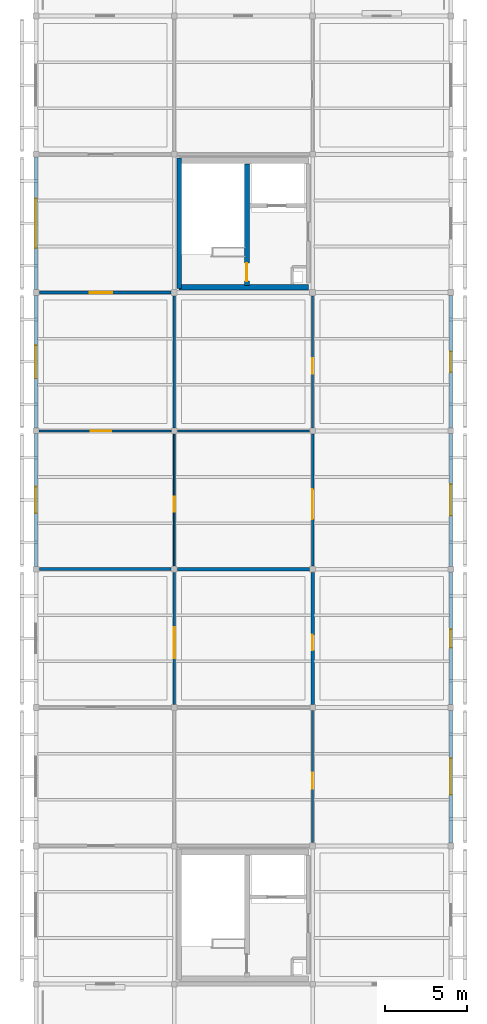
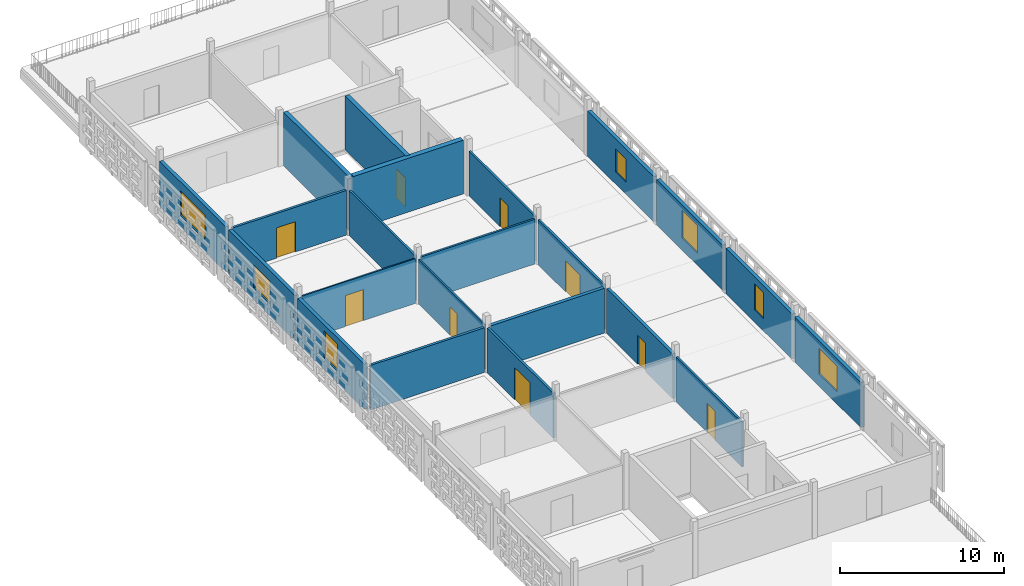
# One storey, part 3 of 13: 22 walls, 9 doors, 7 windows, 16 openings.
"""IFC4 building model written with IfcOpenShell, lengths in metres."""

from ifc_helpers import new_model, si_unit, direction, frame, frame_2d, origin, place, context, subcontext, project, spatial, rectangle, extrude, material, layer, layer_set, type_object, element, fill, save


model = new_model("IFC4")

# Units and contexts
model_context = context("Model", 3, precision=1e-05, world=origin(), true_north=direction((0.0, 1.0)))
body_context = subcontext(model_context, "Body", "Model", "MODEL_VIEW")
ifc_project = project(units=[si_unit("LENGTHUNIT", "METRE"), si_unit("AREAUNIT", "SQUARE_METRE"), si_unit("VOLUMEUNIT", "CUBIC_METRE"), si_unit("PLANEANGLEUNIT", "RADIAN"), si_unit("MASSUNIT", "GRAM", prefix="KILO")], contexts=[model_context])

# Site, building, storey
site_placement = place(None, origin())
site = spatial("IfcSite", under=ifc_project, at=site_placement, CompositionType="ELEMENT")
building_placement = place(site_placement, origin())
building = spatial("IfcBuilding", under=site, at=building_placement, Name="Varnapada Polytechnic", CompositionType="ELEMENT")
storey_placement = place(building_placement, frame((0.0, 0.0, 26.39990234375)))
storey = spatial("IfcBuildingStorey", under=building, at=storey_placement, Name="L06", CompositionType="ELEMENT", Elevation=26.39990234375)

# Wall, opening, door
ifc_material_1 = material(Name="Autoclaved Aerated Concrete Block AAC-600", Category="concrete")
ifc_layer_1 = layer(ifc_material_1, 0.14990234375)
ifc_layer_set_1 = layer_set([ifc_layer_1], Name="Autoclaved Aerated Concrete Block AAC-600")
wall_type_1 = type_object("IfcWallType", Name="Interior Wall IW-02", PredefinedType="PARTITIONING", material=ifc_layer_set_1)
wall_1_placement = place(storey_placement, frame((16.800048828125, 84.199951171875, 0.0), z_axis=(0.0, 0.0, 1.0), x_axis=(0.0, 1.0, 0.0)))
wall_1 = element("IfcWall", 1, at=wall_1_placement, inside=storey, type_object=wall_type_1, Name="L06 interior partition IW-L06-01-10-V", PredefinedType="PARTITIONING", context=body_context, shape_type="SweptSolid", body=[
    extrude(rectangle(XDim=8.010009765625, YDim=0.14990234375, at=frame_2d((4.0048828125, 0.0))), origin(), (0.0, 0.0, 1.0), 3.320068359375),
])
opening_1_placement = place(wall_1_placement, frame((2.85009765625, 0.0, 0.0)))
opening_1 = element("IfcOpeningElement", 2, at=opening_1_placement, cuts=wall_1, Name="Opening D-1345", PredefinedType="OPENING", context=body_context, shape_type="SweptSolid", body=[
    extrude(rectangle(XDim=1.800048828125, YDim=2.300048828125, at=frame_2d((0.89990234375, 1.14990234375))), frame((0.0, 0.0849609375, 0.0), z_axis=(0.0, -1.0, 0.0), x_axis=(1.0, 0.0, 0.0)), (0.0, 0.0, 1.0), 0.169921875),
])
ifc_material_2 = material(Name="Acoustic Double Timber Leaf", Category="wood")
door_type_1 = type_object("IfcDoorType", Name="Interior Door ID-04", OperationType="NOTDEFINED", PredefinedType="DOOR", material=ifc_material_2)
door_1_placement = place(opening_1_placement, origin())
door_1 = element("IfcDoor", 3, at=door_1_placement, inside=storey, type_object=door_type_1, Name="L06 interior room door D-1345", OperationType="SINGLE_SWING_RIGHT", OverallHeight=2.300048828125, OverallWidth=1.800048828125, PredefinedType="DOOR", context=body_context, shape_type="SweptSolid", body=[
    extrude(rectangle(XDim=1.800048828125, YDim=2.300048828125, at=frame_2d((0.89990234375, 1.14990234375))), frame((0.0, 0.02490234375, 0.0), z_axis=(0.0, -1.0, 0.0), x_axis=(1.0, 0.0, 0.0)), (0.0, 0.0, 1.0), 0.050048828125),
])
fill(opening_1, door_1)

# Wall
ifc_material_3 = material(Name="Moisture-Resistant Cement Board Partition")
ifc_layer_2 = layer(ifc_material_3, 0.139892578125)
ifc_layer_set_2 = layer_set([ifc_layer_2], Name="Moisture-Resistant Cement Board Partition")
wall_type_2 = type_object("IfcWallType", Name="Interior Wall IW-04", PredefinedType="PARTITIONING", material=ifc_layer_set_2)
wall_2_placement = place(storey_placement, frame((8.39990234375, 92.590087890625, 0.0), z_axis=(0.0, 0.0, 1.0), x_axis=(0.0, 1.0, 0.0)))
element("IfcWall", 4, at=wall_2_placement, inside=storey, type_object=wall_type_2, Name="L06 interior partition IW-L06-00-11-V", PredefinedType="PARTITIONING", context=body_context, shape_type="SweptSolid", body=[
    extrude(rectangle(XDim=8.010009765625, YDim=0.139892578125, at=frame_2d((4.0048828125, 0.0))), origin(), (0.0, 0.0, 1.0), 3.320068359375),
])

# Wall, opening, door
wall_3_placement = place(storey_placement, frame((16.800048828125, 67.39990234375, 0.0), z_axis=(0.0, 0.0, 1.0), x_axis=(0.0, 1.0, 0.0)))
wall_3 = element("IfcWall", 5, at=wall_3_placement, inside=storey, type_object=wall_type_2, Name="L06 interior partition IW-L06-01-08-V", PredefinedType="PARTITIONING", context=body_context, shape_type="SweptSolid", body=[
    extrude(rectangle(XDim=8.010009765625, YDim=0.139892578125, at=frame_2d((4.0048828125, 0.0))), origin(), (0.0, 0.0, 1.0), 3.320068359375),
])
opening_2_placement = place(wall_3_placement, frame((3.27490234375, 0.0, 0.0)))
opening_2 = element("IfcOpeningElement", 6, at=opening_2_placement, cuts=wall_3, Name="Opening D-1343", PredefinedType="OPENING", context=body_context, shape_type="SweptSolid", body=[
    extrude(rectangle(XDim=0.949951171875, YDim=2.14990234375, at=frame_2d((0.47509765625, 1.074951171875))), frame((0.0, 0.079833984375, 0.0), z_axis=(0.0, -1.0, 0.0), x_axis=(1.0, 0.0, 0.0)), (0.0, 0.0, 1.0), 0.159912109375),
])
ifc_material_4 = material(Name="Moisture-Resistant HPL Timber", Category="wood")
door_type_2 = type_object("IfcDoorType", Name="Interior Door ID-03", OperationType="NOTDEFINED", PredefinedType="DOOR", material=ifc_material_4)
door_2_placement = place(opening_2_placement, frame((0.949951171875, 0.0, 0.0), z_axis=(0.0, 0.0, 1.0), x_axis=(-1.0, 0.0, 0.0)))
door_2 = element("IfcDoor", 7, at=door_2_placement, inside=storey, type_object=door_type_2, Name="L06 interior room door D-1343", OperationType="SINGLE_SWING_RIGHT", OverallHeight=2.14990234375, OverallWidth=0.949951171875, PredefinedType="DOOR", context=body_context, shape_type="SweptSolid", body=[
    extrude(rectangle(XDim=0.949951171875, YDim=2.14990234375, at=frame_2d((0.47509765625, 1.074951171875))), frame((0.0, 0.02490234375, 0.0), z_axis=(0.0, -1.0, 0.0), x_axis=(1.0, 0.0, 0.0)), (0.0, 0.0, 1.0), 0.050048828125),
])
fill(opening_2, door_2)

# Wall
wall_4_placement = place(storey_placement, frame((8.590087890625, 92.39990234375, 0.0), z_axis=(0.0, 0.0, 1.0), x_axis=(1.0, 0.0, 0.0)))
element("IfcWall", 8, at=wall_4_placement, inside=storey, type_object=wall_type_2, Name="L06 interior partition IW-L06-01-10-H", PredefinedType="PARTITIONING", context=body_context, shape_type="SweptSolid", body=[
    extrude(rectangle(XDim=8.02001953125, YDim=0.139892578125, at=frame_2d((4.010009765625, 0.0))), origin(), (0.0, 0.0, 1.0), 3.320068359375),
])

# Wall, opening, door
wall_5_placement = place(storey_placement, frame((16.800048828125, 92.590087890625, 0.0), z_axis=(0.0, 0.0, 1.0), x_axis=(0.0, 1.0, 0.0)))
wall_5 = element("IfcWall", 9, at=wall_5_placement, inside=storey, type_object=wall_type_2, Name="L06 interior partition IW-L06-01-11-V", PredefinedType="PARTITIONING", context=body_context, shape_type="SweptSolid", body=[
    extrude(rectangle(XDim=8.010009765625, YDim=0.139892578125, at=frame_2d((4.0048828125, 0.0))), origin(), (0.0, 0.0, 1.0), 3.320068359375),
])
opening_3_placement = place(wall_5_placement, frame((3.27490234375, 0.0, 0.0)))
opening_3 = element("IfcOpeningElement", 10, at=opening_3_placement, cuts=wall_5, Name="Opening D-1346", PredefinedType="OPENING", context=body_context, shape_type="SweptSolid", body=[
    extrude(rectangle(XDim=0.949951171875, YDim=2.14990234375, at=frame_2d((0.47509765625, 1.074951171875))), frame((0.0, 0.079833984375, 0.0), z_axis=(0.0, -1.0, 0.0), x_axis=(1.0, 0.0, 0.0)), (0.0, 0.0, 1.0), 0.159912109375),
])
door_3_placement = place(opening_3_placement, frame((0.949951171875, 0.0, 0.0), z_axis=(0.0, 0.0, 1.0), x_axis=(-1.0, 0.0, 0.0)))
door_3 = element("IfcDoor", 11, at=door_3_placement, inside=storey, type_object=door_type_2, Name="L06 interior room door D-1346", OperationType="SINGLE_SWING_LEFT", OverallHeight=2.14990234375, OverallWidth=0.949951171875, PredefinedType="DOOR", context=body_context, shape_type="SweptSolid", body=[
    extrude(rectangle(XDim=0.949951171875, YDim=2.14990234375, at=frame_2d((0.47509765625, 1.074951171875))), frame((0.0, 0.02490234375, 0.0), z_axis=(0.0, -1.0, 0.0), x_axis=(1.0, 0.0, 0.0)), (0.0, 0.0, 1.0), 0.050048828125),
])
fill(opening_3, door_3)

ifc_material_5 = material(Name="Cross-laminated timber CLT C24", Category="wood")
ifc_layer_3 = layer(ifc_material_5, 0.159912109375)
ifc_layer_set_3 = layer_set([ifc_layer_3], Name="Cross-laminated timber CLT C24")
wall_type_3 = type_object("IfcWallType", Name="Interior Wall IW-05", PredefinedType="PARTITIONING", material=ifc_layer_set_3)
wall_6_placement = place(storey_placement, frame((8.39990234375, 75.7900390625, 0.0), z_axis=(0.0, 0.0, 1.0), x_axis=(0.0, 1.0, 0.0)))
wall_6 = element("IfcWall", 12, at=wall_6_placement, inside=storey, type_object=wall_type_3, Name="L06 interior partition IW-L06-00-09-V", PredefinedType="PARTITIONING", context=body_context, shape_type="SweptSolid", body=[
    extrude(rectangle(XDim=8.010009765625, YDim=0.159912109375, at=frame_2d((4.0048828125, 0.0))), origin(), (0.0, 0.0, 1.0), 3.320068359375),
])
opening_4_placement = place(wall_6_placement, frame((2.800048828125, 0.0, 0.0)))
opening_4 = element("IfcOpeningElement", 13, at=opening_4_placement, cuts=wall_6, Name="Opening D-1338", PredefinedType="OPENING", context=body_context, shape_type="SweptSolid", body=[
    extrude(rectangle(XDim=1.89990234375, YDim=2.39990234375, at=frame_2d((0.949951171875, 1.199951171875))), frame((0.0, 0.08984375, 0.0), z_axis=(0.0, -1.0, 0.0), x_axis=(1.0, 0.0, 0.0)), (0.0, 0.0, 1.0), 0.179931640625),
])
ifc_material_6 = material(Name="Heavy Workshop Double Steel Door", Category="steel")
door_type_3 = type_object("IfcDoorType", Name="Interior Door ID-14", OperationType="NOTDEFINED", PredefinedType="DOOR", material=ifc_material_6)
door_4_placement = place(opening_4_placement, origin())
door_4 = element("IfcDoor", 14, at=door_4_placement, inside=storey, type_object=door_type_3, Name="L06 interior room door D-1338", OperationType="SINGLE_SWING_LEFT", OverallHeight=2.39990234375, OverallWidth=1.89990234375, PredefinedType="DOOR", context=body_context, shape_type="SweptSolid", body=[
    extrude(rectangle(XDim=1.89990234375, YDim=2.39990234375, at=frame_2d((0.949951171875, 1.199951171875))), frame((0.0, 0.02490234375, 0.0), z_axis=(0.0, -1.0, 0.0), x_axis=(1.0, 0.0, 0.0)), (0.0, 0.0, 1.0), 0.050048828125),
])
fill(opening_4, door_4)

# Wall
ifc_material_7 = material(Name="Acoustic Double-Stud Studio Partition")
ifc_layer_4 = layer(ifc_material_7, 0.179931640625)
ifc_layer_set_4 = layer_set([ifc_layer_4], Name="Acoustic Double-Stud Studio Partition")
wall_type_4 = type_object("IfcWallType", Name="Interior Wall IW-06", PredefinedType="PARTITIONING", material=ifc_layer_set_4)
wall_7_placement = place(storey_placement, frame((0.199951171875, 84.0, 0.0), z_axis=(0.0, 0.0, 1.0), x_axis=(1.0, 0.0, 0.0)))
element("IfcWall", 15, at=wall_7_placement, inside=storey, type_object=wall_type_4, Name="L06 interior partition IW-L06-00-09-H", PredefinedType="PARTITIONING", context=body_context, shape_type="SweptSolid", body=[
    extrude(rectangle(XDim=8.0, YDim=0.179931640625, at=frame_2d((4.0, 0.0))), origin(), (0.0, 0.0, 1.0), 3.320068359375),
])

# Wall, opening, door
ifc_material_8 = material(Name="Glazed Timber-Framed Studio Screen", Category="wood")
ifc_layer_5 = layer(ifc_material_8, 0.110107421875)
ifc_layer_set_5 = layer_set([ifc_layer_5], Name="Glazed Timber-Framed Studio Screen")
wall_type_5 = type_object("IfcWallType", Name="Interior Wall IW-07", PredefinedType="PARTITIONING", material=ifc_layer_set_5)
wall_8_placement = place(storey_placement, frame((8.39990234375, 84.199951171875, 0.0), z_axis=(0.0, 0.0, 1.0), x_axis=(0.0, 1.0, 0.0)))
wall_8 = element("IfcWall", 16, at=wall_8_placement, inside=storey, type_object=wall_type_5, Name="L06 interior partition IW-L06-00-10-V", PredefinedType="PARTITIONING", context=body_context, shape_type="SweptSolid", body=[
    extrude(rectangle(XDim=8.010009765625, YDim=0.110107421875, at=frame_2d((4.0048828125, 0.0))), origin(), (0.0, 0.0, 1.0), 3.320068359375),
])
opening_5_placement = place(wall_8_placement, frame((3.300048828125, 0.0, 0.0)))
opening_5 = element("IfcOpeningElement", 17, at=opening_5_placement, cuts=wall_8, Name="Opening D-1339", PredefinedType="OPENING", context=body_context, shape_type="SweptSolid", body=[
    extrude(rectangle(XDim=0.89990234375, YDim=2.10009765625, at=frame_2d((0.449951171875, 1.050048828125))), frame((0.0, 0.06494140625, 0.0), z_axis=(0.0, -1.0, 0.0), x_axis=(1.0, 0.0, 0.0)), (0.0, 0.0, 1.0), 0.130126953125),
])
door_type_4 = type_object("IfcDoorType", Name="Interior Door ID-15", OperationType="NOTDEFINED", PredefinedType="DOOR", material=ifc_material_4)
door_5_placement = place(opening_5_placement, origin())
door_5 = element("IfcDoor", 18, at=door_5_placement, inside=storey, type_object=door_type_4, Name="L06 interior room door D-1339", OperationType="SINGLE_SWING_RIGHT", OverallHeight=2.10009765625, OverallWidth=0.89990234375, PredefinedType="DOOR", context=body_context, shape_type="SweptSolid", body=[
    extrude(rectangle(XDim=0.89990234375, YDim=2.10009765625, at=frame_2d((0.449951171875, 1.050048828125))), frame((0.0, 0.02490234375, 0.0), z_axis=(0.0, -1.0, 0.0), x_axis=(1.0, 0.0, 0.0)), (0.0, 0.0, 1.0), 0.050048828125),
])
fill(opening_5, door_5)

ifc_material_9 = material(Name="Operable Acoustic Seminar Partition")
ifc_layer_6 = layer(ifc_material_9, 0.10009765625)
ifc_layer_set_6 = layer_set([ifc_layer_6], Name="Operable Acoustic Seminar Partition")
wall_type_6 = type_object("IfcWallType", Name="Interior Wall IW-08", PredefinedType="MOVABLE", material=ifc_layer_set_6)
wall_9_placement = place(storey_placement, frame((0.18994140625, 92.39990234375, 0.0), z_axis=(0.0, 0.0, 1.0), x_axis=(1.0, 0.0, 0.0)))
wall_9 = element("IfcWall", 19, at=wall_9_placement, inside=storey, type_object=wall_type_6, Name="L06 interior partition IW-L06-00-10-H", PredefinedType="MOVABLE", context=body_context, shape_type="SweptSolid", body=[
    extrude(rectangle(XDim=8.02001953125, YDim=0.10009765625, at=frame_2d((4.010009765625, 0.0))), origin(), (0.0, 0.0, 1.0), 3.320068359375),
])
opening_6_placement = place(wall_9_placement, frame((3.125, 0.0, 0.0)))
opening_6 = element("IfcOpeningElement", 20, at=opening_6_placement, cuts=wall_9, Name="Opening D-1340", PredefinedType="OPENING", context=body_context, shape_type="SweptSolid", body=[
    extrude(rectangle(XDim=1.25, YDim=2.300048828125, at=frame_2d((0.625, 1.14990234375))), frame((0.0, 0.06005859375, 0.0), z_axis=(0.0, -1.0, 0.0), x_axis=(1.0, 0.0, 0.0)), (0.0, 0.0, 1.0), 0.1201171875),
])
ifc_material_10 = material(Name="Solid Teak Hardwood Timber", Category="wood")
door_type_5 = type_object("IfcDoorType", Name="Interior Door ID-16", OperationType="NOTDEFINED", PredefinedType="DOOR", material=ifc_material_10)
door_6_placement = place(opening_6_placement, frame((1.25, 0.0, 0.0), z_axis=(0.0, 0.0, 1.0), x_axis=(-1.0, 0.0, 0.0)))
door_6 = element("IfcDoor", 21, at=door_6_placement, inside=storey, type_object=door_type_5, Name="L06 interior room door D-1340", OperationType="SINGLE_SWING_LEFT", OverallHeight=2.300048828125, OverallWidth=1.25, PredefinedType="DOOR", context=body_context, shape_type="SweptSolid", body=[
    extrude(rectangle(XDim=1.25, YDim=2.300048828125, at=frame_2d((0.625, 1.14990234375))), frame((0.0, 0.02490234375, 0.0), z_axis=(0.0, -1.0, 0.0), x_axis=(1.0, 0.0, 0.0)), (0.0, 0.0, 1.0), 0.050048828125),
])
fill(opening_6, door_6)

ifc_material_11 = material(Name="Double-Layer Fireboard Workshop Wall")
ifc_layer_7 = layer(ifc_material_11, 0.169921875)
ifc_layer_set_7 = layer_set([ifc_layer_7], Name="Double-Layer Fireboard Workshop Wall")
wall_type_7 = type_object("IfcWallType", Name="Interior Wall IW-10", PredefinedType="PARTITIONING", material=ifc_layer_set_7)
wall_10_placement = place(storey_placement, frame((0.199951171875, 100.800048828125, 0.0), z_axis=(0.0, 0.0, 1.0), x_axis=(1.0, 0.0, 0.0)))
wall_10 = element("IfcWall", 22, at=wall_10_placement, inside=storey, type_object=wall_type_7, Name="L06 interior partition IW-L06-00-11-H", PredefinedType="PARTITIONING", context=body_context, shape_type="SweptSolid", body=[
    extrude(rectangle(XDim=8.0, YDim=0.169921875, at=frame_2d((4.0, 0.0))), origin(), (0.0, 0.0, 1.0), 3.320068359375),
])
opening_7_placement = place(wall_10_placement, frame((3.074951171875, 0.0, 0.0)))
opening_7 = element("IfcOpeningElement", 23, at=opening_7_placement, cuts=wall_10, Name="Opening D-1341", PredefinedType="OPENING", context=body_context, shape_type="SweptSolid", body=[
    extrude(rectangle(XDim=1.35009765625, YDim=2.25, at=frame_2d((0.675048828125, 1.125))), frame((0.0, 0.094970703125, 0.0), z_axis=(0.0, -1.0, 0.0), x_axis=(1.0, 0.0, 0.0)), (0.0, 0.0, 1.0), 0.18994140625),
])
ifc_material_12 = material(Name="Powder-Coated Aluminium 6063-T6", Category="aluminium")
door_type_6 = type_object("IfcDoorType", Name="Interior Door ID-17", OperationType="NOTDEFINED", PredefinedType="DOOR", material=ifc_material_12)
door_7_placement = place(opening_7_placement, origin())
door_7 = element("IfcDoor", 24, at=door_7_placement, inside=storey, type_object=door_type_6, Name="L06 interior room door D-1341", OperationType="SINGLE_SWING_RIGHT", OverallHeight=2.25, OverallWidth=1.35009765625, PredefinedType="DOOR", context=body_context, shape_type="SweptSolid", body=[
    extrude(rectangle(XDim=1.35009765625, YDim=2.25, at=frame_2d((0.675048828125, 1.125))), frame((0.0, 0.02490234375, 0.0), z_axis=(0.0, -1.0, 0.0), x_axis=(1.0, 0.0, 0.0)), (0.0, 0.0, 1.0), 0.050048828125),
])
fill(opening_7, door_7)

ifc_material_13 = material(Name="Heavy Masonry Workshop Partition", Category="masonry")
ifc_layer_8 = layer(ifc_material_13, 0.2099609375)
ifc_layer_set_8 = layer_set([ifc_layer_8], Name="Heavy Masonry Workshop Partition")
wall_type_8 = type_object("IfcWallType", Name="Interior Wall IW-16", PredefinedType="PARTITIONING", material=ifc_layer_set_8)
wall_11_placement = place(storey_placement, frame((16.800048828125, 75.7900390625, 0.0), z_axis=(0.0, 0.0, 1.0), x_axis=(0.0, 1.0, 0.0)))
wall_11 = element("IfcWall", 25, at=wall_11_placement, inside=storey, type_object=wall_type_8, Name="L06 interior partition IW-L06-01-09-V", PredefinedType="PARTITIONING", context=body_context, shape_type="SweptSolid", body=[
    extrude(rectangle(XDim=8.010009765625, YDim=0.2099609375, at=frame_2d((4.0048828125, 0.0))), origin(), (0.0, 0.0, 1.0), 3.320068359375),
])
opening_8_placement = place(wall_11_placement, frame((3.27490234375, 0.0, 0.0)))
opening_8 = element("IfcOpeningElement", 26, at=opening_8_placement, cuts=wall_11, Name="Opening D-1344", PredefinedType="OPENING", context=body_context, shape_type="SweptSolid", body=[
    extrude(rectangle(XDim=0.949951171875, YDim=2.14990234375, at=frame_2d((0.47509765625, 1.074951171875))), frame((0.0, 0.114990234375, 0.0), z_axis=(0.0, -1.0, 0.0), x_axis=(1.0, 0.0, 0.0)), (0.0, 0.0, 1.0), 0.22998046875),
])
door_8_placement = place(opening_8_placement, origin())
door_8 = element("IfcDoor", 27, at=door_8_placement, inside=storey, type_object=door_type_2, Name="L06 interior room door D-1344", OperationType="SINGLE_SWING_LEFT", OverallHeight=2.14990234375, OverallWidth=0.949951171875, PredefinedType="DOOR", context=body_context, shape_type="SweptSolid", body=[
    extrude(rectangle(XDim=0.949951171875, YDim=2.14990234375, at=frame_2d((0.47509765625, 1.074951171875))), frame((0.0, 0.02490234375, 0.0), z_axis=(0.0, -1.0, 0.0), x_axis=(1.0, 0.0, 0.0)), (0.0, 0.0, 1.0), 0.050048828125),
])
fill(opening_8, door_8)

# Walls
ifc_material_14 = material(Name="Double-Leaf Acoustic Lecture Wall")
ifc_layer_9 = layer(ifc_material_14, 0.235107421875)
ifc_layer_set_9 = layer_set([ifc_layer_9], Name="Double-Leaf Acoustic Lecture Wall")
wall_type_9 = type_object("IfcWallType", Name="Interior Wall IW-17", PredefinedType="PARTITIONING", material=ifc_layer_set_9)
wall_12_placement = place(storey_placement, frame((8.60009765625, 84.0, 0.0), z_axis=(0.0, 0.0, 1.0), x_axis=(1.0, 0.0, 0.0)))
element("IfcWall", 28, at=wall_12_placement, inside=storey, type_object=wall_type_9, Name="L06 interior partition IW-L06-01-09-H", PredefinedType="PARTITIONING", context=body_context, shape_type="SweptSolid", body=[
    extrude(rectangle(XDim=8.0, YDim=0.235107421875, at=frame_2d((4.0, 0.0))), origin(), (0.0, 0.0, 1.0), 3.320068359375),
])
ifc_material_15 = material(Name="Concrete C40/50", Category="concrete")
ifc_layer_10 = layer(ifc_material_15, 0.35009765625)
ifc_layer_set_10 = layer_set([ifc_layer_10], Name="Concrete C40/50")
wall_type_10 = type_object("IfcWallType", Name="Interior Wall SW-01", PredefinedType="SHEAR", material=ifc_layer_set_10)
wall_13_placement = place(storey_placement, frame((16.5400390625, 101.1201171875, 0.0), z_axis=(0.0, 0.0, 1.0), x_axis=(-1.0, 0.0, 0.0)))
element("IfcWall", 29, at=wall_13_placement, inside=storey, type_object=wall_type_10, Name="L06 C1 core south shear wall", PredefinedType="SHEAR", context=body_context, shape_type="SweptSolid", body=[
    extrude(rectangle(XDim=7.840087890625, YDim=0.35009765625, at=frame_2d((3.919921875, 0.0))), origin(), (0.0, 0.0, 1.0), 3.989990234375),
])

# Wall, opening, door
ifc_layer_11 = layer(ifc_material_15, 0.300048828125)
ifc_layer_set_11 = layer_set([ifc_layer_11], Name="Concrete C40/50")
wall_type_11 = type_object("IfcWallType", Name="Interior Wall SW-02", PredefinedType="SHEAR", material=ifc_layer_set_11)
wall_14_placement = place(storey_placement, frame((12.81005859375, 101.219970703125, 0.0), z_axis=(0.0, 0.0, 1.0), x_axis=(0.0, 1.0, 0.0)))
wall_14 = element("IfcWall", 30, at=wall_14_placement, inside=storey, type_object=wall_type_11, Name="L06 C1 stair-lobby dividing shear wall", PredefinedType="SHEAR", context=body_context, shape_type="SweptSolid", body=[
    extrude(rectangle(XDim=7.380126953125, YDim=0.300048828125, at=frame_2d((3.68994140625, 0.0))), origin(), (0.0, 0.0, 1.0), 3.989990234375),
])
opening_9_placement = place(wall_14_placement, frame((0.280029296875, 0.0, 0.0)))
opening_9 = element("IfcOpeningElement", 31, at=opening_9_placement, cuts=wall_14, Name="Opening D-1335", PredefinedType="OPENING", context=body_context, shape_type="SweptSolid", body=[
    extrude(rectangle(XDim=1.10009765625, YDim=2.14990234375, at=frame_2d((0.550048828125, 1.074951171875))), frame((0.0, 0.159912109375, 0.0), z_axis=(0.0, -1.0, 0.0), x_axis=(1.0, 0.0, 0.0)), (0.0, 0.0, 1.0), 0.320068359375),
])
ifc_material_16 = material(Name="Galvanized Steel Z275", Category="steel")
door_type_7 = type_object("IfcDoorType", Name="Interior Door ID-01", OperationType="NOTDEFINED", PredefinedType="DOOR", material=ifc_material_16)
door_9_placement = place(opening_9_placement, origin())
door_9 = element("IfcDoor", 32, at=door_9_placement, inside=storey, type_object=door_type_7, Name="L06 C1 exit stair door D-1335", OperationType="SINGLE_SWING_RIGHT", OverallHeight=2.14990234375, OverallWidth=1.10009765625, PredefinedType="DOOR", context=body_context, shape_type="SweptSolid", body=[
    extrude(rectangle(XDim=1.10009765625, YDim=2.14990234375, at=frame_2d((0.550048828125, 1.074951171875))), frame((0.0, 0.02490234375, 0.0), z_axis=(0.0, -1.0, 0.0), x_axis=(1.0, 0.0, 0.0)), (0.0, 0.0, 1.0), 0.050048828125),
])
fill(opening_9, door_9)

# Wall
ifc_layer_12 = layer(ifc_material_15, 0.280029296875)
ifc_layer_set_12 = layer_set([ifc_layer_12], Name="Concrete C40/50")
wall_type_12 = type_object("IfcWallType", Name="Interior Wall SW-04", PredefinedType="SHEAR", material=ifc_layer_set_12)
wall_15_placement = place(storey_placement, frame((8.699951171875, 101.050048828125, 0.0), z_axis=(0.0, 0.0, 1.0), x_axis=(0.0, 1.0, 0.0)))
element("IfcWall", 33, at=wall_15_placement, inside=storey, type_object=wall_type_12, Name="L06 C1 stair west shear wall", PredefinedType="SHEAR", context=body_context, shape_type="SweptSolid", body=[
    extrude(rectangle(XDim=7.93994140625, YDim=0.280029296875, at=frame_2d((3.969970703125, 0.0))), origin(), (0.0, 0.0, 1.0), 3.989990234375),
])

# Wall, opening, window
ifc_material_17 = material(Name="Precast concrete C40/50", Category="concrete")
ifc_layer_13 = layer(ifc_material_17, 0.239990234375)
ifc_layer_set_13 = layer_set([ifc_layer_13], Name="Precast concrete C40/50")
wall_type_13 = type_object("IfcWallType", Name="Wall EW-06", PredefinedType="SOLIDWALL", material=ifc_layer_set_13)
wall_16_placement = place(storey_placement, frame((0.0, 84.179931640625, 0.0), z_axis=(0.0, 0.0, 1.0), x_axis=(0.0, 1.0, 0.0)))
wall_16 = element("IfcWall", 34, at=wall_16_placement, inside=storey, type_object=wall_type_13, Name="L06 exterior wall EW-06 (5)", PredefinedType="SOLIDWALL", context=body_context, shape_type="SweptSolid", body=[
    extrude(rectangle(XDim=8.050048828125, YDim=0.239990234375, at=frame_2d((4.02490234375, 0.0))), origin(), (0.0, 0.0, 1.0), 3.360107421875),
])
opening_10_placement = place(wall_16_placement, frame((3.22509765625, 0.0, 0.89990234375)))
opening_10 = element("IfcOpeningElement", 35, at=opening_10_placement, cuts=wall_16, Name="Opening WN-08", PredefinedType="OPENING", context=body_context, shape_type="SweptSolid", body=[
    extrude(rectangle(XDim=1.60009765625, YDim=2.0, at=frame_2d((0.800048828125, 1.0))), frame((0.0, 0.1298828125, 0.0), z_axis=(0.0, -1.0, 0.0), x_axis=(1.0, 0.0, 0.0)), (0.0, 0.0, 1.0), 0.260009765625),
])
ifc_material_18 = material(Name="Double low-E laminated glass", Category="glass")
window_type_1 = type_object("IfcWindowType", Name="Window WN-08", PartitioningType="SINGLE_PANEL", PredefinedType="WINDOW", material=ifc_material_18)
window_1_placement = place(opening_10_placement, origin())
window_1 = element("IfcWindow", 36, at=window_1_placement, inside=storey, type_object=window_type_1, Name="L06 window WN-08 (251)", OverallHeight=2.0, OverallWidth=1.60009765625, PartitioningType="SINGLE_PANEL", PredefinedType="WINDOW", context=body_context, shape_type="SweptSolid", body=[
    extrude(rectangle(XDim=1.60009765625, YDim=2.0, at=frame_2d((0.800048828125, 1.0))), frame((0.0, 0.030029296875, 0.0), z_axis=(0.0, -1.0, 0.0), x_axis=(1.0, 0.0, 0.0)), (0.0, 0.0, 1.0), 0.06005859375),
])
fill(opening_10, window_1)

wall_17_placement = place(storey_placement, frame((0.0, 92.570068359375, 0.0), z_axis=(0.0, 0.0, 1.0), x_axis=(0.0, 1.0, 0.0)))
wall_17 = element("IfcWall", 37, at=wall_17_placement, inside=storey, type_object=wall_type_13, Name="L06 exterior wall EW-06 (6)", PredefinedType="SOLIDWALL", context=body_context, shape_type="SweptSolid", body=[
    extrude(rectangle(XDim=8.050048828125, YDim=0.239990234375, at=frame_2d((4.02490234375, 0.0))), origin(), (0.0, 0.0, 1.0), 3.360107421875),
])
opening_11_placement = place(wall_17_placement, frame((3.02490234375, 0.0, 0.89990234375)))
opening_11 = element("IfcOpeningElement", 38, at=opening_11_placement, cuts=wall_17, Name="Opening WN-11", PredefinedType="OPENING", context=body_context, shape_type="SweptSolid", body=[
    extrude(rectangle(XDim=2.0, YDim=1.699951171875, at=frame_2d((1.0, 0.85009765625))), frame((0.0, 0.1298828125, 0.0), z_axis=(0.0, -1.0, 0.0), x_axis=(1.0, 0.0, 0.0)), (0.0, 0.0, 1.0), 0.260009765625),
])
window_type_2 = type_object("IfcWindowType", Name="Window WN-11", PartitioningType="SINGLE_PANEL", PredefinedType="WINDOW", material=ifc_material_18)
window_2_placement = place(opening_11_placement, origin())
window_2 = element("IfcWindow", 39, at=window_2_placement, inside=storey, type_object=window_type_2, Name="L06 window WN-11 (252)", OverallHeight=1.699951171875, OverallWidth=2.0, PartitioningType="SINGLE_PANEL", PredefinedType="WINDOW", context=body_context, shape_type="SweptSolid", body=[
    extrude(rectangle(XDim=2.0, YDim=1.699951171875, at=frame_2d((1.0, 0.85009765625))), frame((0.0, 0.030029296875, 0.0), z_axis=(0.0, -1.0, 0.0), x_axis=(1.0, 0.0, 0.0)), (0.0, 0.0, 1.0), 0.06005859375),
])
fill(opening_11, window_2)

wall_18_placement = place(storey_placement, frame((0.0, 100.97998046875, 0.0), z_axis=(0.0, 0.0, 1.0), x_axis=(0.0, 1.0, 0.0)))
wall_18 = element("IfcWall", 40, at=wall_18_placement, inside=storey, type_object=wall_type_13, Name="L06 exterior wall EW-06 (7)", PredefinedType="SOLIDWALL", context=body_context, shape_type="SweptSolid", body=[
    extrude(rectangle(XDim=8.050048828125, YDim=0.239990234375, at=frame_2d((4.02490234375, 0.0))), origin(), (0.0, 0.0, 1.0), 3.360107421875),
])
opening_12_placement = place(wall_18_placement, frame((2.52490234375, 0.0, 0.89990234375)))
opening_12 = element("IfcOpeningElement", 41, at=opening_12_placement, cuts=wall_18, Name="Opening WN-14", PredefinedType="OPENING", context=body_context, shape_type="SweptSolid", body=[
    extrude(rectangle(XDim=3.0, YDim=1.800048828125, at=frame_2d((1.5, 0.89990234375))), frame((0.0, 0.1298828125, 0.0), z_axis=(0.0, -1.0, 0.0), x_axis=(1.0, 0.0, 0.0)), (0.0, 0.0, 1.0), 0.260009765625),
])
window_type_3 = type_object("IfcWindowType", Name="Window WN-14", PartitioningType="SINGLE_PANEL", PredefinedType="WINDOW", material=ifc_material_18)
window_3_placement = place(opening_12_placement, origin())
window_3 = element("IfcWindow", 42, at=window_3_placement, inside=storey, type_object=window_type_3, Name="L06 window WN-14 (253)", OverallHeight=1.800048828125, OverallWidth=3.0, PartitioningType="SINGLE_PANEL", PredefinedType="WINDOW", context=body_context, shape_type="SweptSolid", body=[
    extrude(rectangle(XDim=3.0, YDim=1.800048828125, at=frame_2d((1.5, 0.89990234375))), frame((0.0, 0.030029296875, 0.0), z_axis=(0.0, -1.0, 0.0), x_axis=(1.0, 0.0, 0.0)), (0.0, 0.0, 1.0), 0.06005859375),
])
fill(opening_12, window_3)

wall_19_placement = place(storey_placement, frame((25.199951171875, 75.429931640625, 0.0), z_axis=(0.0, 0.0, 1.0), x_axis=(0.0, -1.0, 0.0)))
wall_19 = element("IfcWall", 43, at=wall_19_placement, inside=storey, type_object=wall_type_13, Name="L06 exterior wall EW-06 (14)", PredefinedType="SOLIDWALL", context=body_context, shape_type="SweptSolid", body=[
    extrude(rectangle(XDim=8.050048828125, YDim=0.239990234375, at=frame_2d((4.02490234375, 0.0))), origin(), (0.0, 0.0, 1.0), 3.360107421875),
])
opening_13_placement = place(wall_19_placement, frame((2.925048828125, 0.0, 0.89990234375)))
opening_13 = element("IfcOpeningElement", 44, at=opening_13_placement, cuts=wall_19, Name="Opening WN-12", PredefinedType="OPENING", context=body_context, shape_type="SweptSolid", body=[
    extrude(rectangle(XDim=2.199951171875, YDim=1.89990234375, at=frame_2d((1.10009765625, 0.949951171875))), frame((0.0, 0.1298828125, 0.0), z_axis=(0.0, -1.0, 0.0), x_axis=(1.0, 0.0, 0.0)), (0.0, 0.0, 1.0), 0.260009765625),
])
window_type_4 = type_object("IfcWindowType", Name="Window WN-12", PartitioningType="SINGLE_PANEL", PredefinedType="WINDOW", material=ifc_material_18)
window_4_placement = place(opening_13_placement, origin())
window_4 = element("IfcWindow", 45, at=window_4_placement, inside=storey, type_object=window_type_4, Name="L06 window WN-12 (256)", OverallHeight=1.89990234375, OverallWidth=2.199951171875, PartitioningType="SINGLE_PANEL", PredefinedType="WINDOW", context=body_context, shape_type="SweptSolid", body=[
    extrude(rectangle(XDim=2.199951171875, YDim=1.89990234375, at=frame_2d((1.10009765625, 0.949951171875))), frame((0.0, 0.030029296875, 0.0), z_axis=(0.0, -1.0, 0.0), x_axis=(1.0, 0.0, 0.0)), (0.0, 0.0, 1.0), 0.06005859375),
])
fill(opening_13, window_4)

wall_20_placement = place(storey_placement, frame((25.199951171875, 83.820068359375, 0.0), z_axis=(0.0, 0.0, 1.0), x_axis=(0.0, -1.0, 0.0)))
wall_20 = element("IfcWall", 46, at=wall_20_placement, inside=storey, type_object=wall_type_13, Name="L06 exterior wall EW-06 (15)", PredefinedType="SOLIDWALL", context=body_context, shape_type="SweptSolid", body=[
    extrude(rectangle(XDim=8.050048828125, YDim=0.239990234375, at=frame_2d((4.02490234375, 0.0))), origin(), (0.0, 0.0, 1.0), 3.360107421875),
])
opening_14_placement = place(wall_20_placement, frame((3.47509765625, 0.0, 0.89990234375)))
opening_14 = element("IfcOpeningElement", 47, at=opening_14_placement, cuts=wall_20, Name="Opening WN-15", PredefinedType="OPENING", context=body_context, shape_type="SweptSolid", body=[
    extrude(rectangle(XDim=1.10009765625, YDim=1.949951171875, at=frame_2d((0.550048828125, 0.97509765625))), frame((0.0, 0.1298828125, 0.0), z_axis=(0.0, -1.0, 0.0), x_axis=(1.0, 0.0, 0.0)), (0.0, 0.0, 1.0), 0.260009765625),
])
window_type_5 = type_object("IfcWindowType", Name="Window WN-15", PartitioningType="SINGLE_PANEL", PredefinedType="WINDOW", material=ifc_material_18)
window_5_placement = place(opening_14_placement, origin())
window_5 = element("IfcWindow", 48, at=window_5_placement, inside=storey, type_object=window_type_5, Name="L06 window WN-15 (257)", OverallHeight=1.949951171875, OverallWidth=1.10009765625, PartitioningType="SINGLE_PANEL", PredefinedType="WINDOW", context=body_context, shape_type="SweptSolid", body=[
    extrude(rectangle(XDim=1.10009765625, YDim=1.949951171875, at=frame_2d((0.550048828125, 0.97509765625))), frame((0.0, 0.030029296875, 0.0), z_axis=(0.0, -1.0, 0.0), x_axis=(1.0, 0.0, 0.0)), (0.0, 0.0, 1.0), 0.06005859375),
])
fill(opening_14, window_5)

wall_21_placement = place(storey_placement, frame((25.199951171875, 92.22998046875, 0.0), z_axis=(0.0, 0.0, 1.0), x_axis=(0.0, -1.0, 0.0)))
wall_21 = element("IfcWall", 49, at=wall_21_placement, inside=storey, type_object=wall_type_13, Name="L06 exterior wall EW-06 (16)", PredefinedType="SOLIDWALL", context=body_context, shape_type="SweptSolid", body=[
    extrude(rectangle(XDim=8.050048828125, YDim=0.239990234375, at=frame_2d((4.02490234375, 0.0))), origin(), (0.0, 0.0, 1.0), 3.360107421875),
])
opening_15_placement = place(wall_21_placement, frame((3.074951171875, 0.0, 0.89990234375)))
opening_15 = element("IfcOpeningElement", 50, at=opening_15_placement, cuts=wall_21, Name="Opening WN-18", PredefinedType="OPENING", context=body_context, shape_type="SweptSolid", body=[
    extrude(rectangle(XDim=1.89990234375, YDim=2.050048828125, at=frame_2d((0.949951171875, 1.02490234375))), frame((0.0, 0.1298828125, 0.0), z_axis=(0.0, -1.0, 0.0), x_axis=(1.0, 0.0, 0.0)), (0.0, 0.0, 1.0), 0.260009765625),
])
window_type_6 = type_object("IfcWindowType", Name="Window WN-18", PartitioningType="SINGLE_PANEL", PredefinedType="WINDOW", material=ifc_material_18)
window_6_placement = place(opening_15_placement, origin())
window_6 = element("IfcWindow", 51, at=window_6_placement, inside=storey, type_object=window_type_6, Name="L06 window WN-18 (258)", OverallHeight=2.050048828125, OverallWidth=1.89990234375, PartitioningType="SINGLE_PANEL", PredefinedType="WINDOW", context=body_context, shape_type="SweptSolid", body=[
    extrude(rectangle(XDim=1.89990234375, YDim=2.050048828125, at=frame_2d((0.949951171875, 1.02490234375))), frame((0.0, 0.030029296875, 0.0), z_axis=(0.0, -1.0, 0.0), x_axis=(1.0, 0.0, 0.0)), (0.0, 0.0, 1.0), 0.06005859375),
])
fill(opening_15, window_6)

wall_22_placement = place(storey_placement, frame((25.199951171875, 100.6201171875, 0.0), z_axis=(0.0, 0.0, 1.0), x_axis=(0.0, -1.0, 0.0)))
wall_22 = element("IfcWall", 52, at=wall_22_placement, inside=storey, type_object=wall_type_13, Name="L06 exterior wall EW-06 (17)", PredefinedType="SOLIDWALL", context=body_context, shape_type="SweptSolid", body=[
    extrude(rectangle(XDim=8.050048828125, YDim=0.239990234375, at=frame_2d((4.02490234375, 0.0))), origin(), (0.0, 0.0, 1.0), 3.360107421875),
])
opening_16_placement = place(wall_22_placement, frame((3.39990234375, 0.0, 0.89990234375)))
opening_16 = element("IfcOpeningElement", 53, at=opening_16_placement, cuts=wall_22, Name="Opening WN-21", PredefinedType="OPENING", context=body_context, shape_type="SweptSolid", body=[
    extrude(rectangle(XDim=1.25, YDim=1.699951171875, at=frame_2d((0.625, 0.85009765625))), frame((0.0, 0.1298828125, 0.0), z_axis=(0.0, -1.0, 0.0), x_axis=(1.0, 0.0, 0.0)), (0.0, 0.0, 1.0), 0.260009765625),
])
window_type_7 = type_object("IfcWindowType", Name="Window WN-21", PartitioningType="SINGLE_PANEL", PredefinedType="WINDOW", material=ifc_material_18)
window_7_placement = place(opening_16_placement, origin())
window_7 = element("IfcWindow", 54, at=window_7_placement, inside=storey, type_object=window_type_7, Name="L06 window WN-21 (259)", OverallHeight=1.699951171875, OverallWidth=1.25, PartitioningType="SINGLE_PANEL", PredefinedType="WINDOW", context=body_context, shape_type="SweptSolid", body=[
    extrude(rectangle(XDim=1.25, YDim=1.699951171875, at=frame_2d((0.625, 0.85009765625))), frame((0.0, 0.030029296875, 0.0), z_axis=(0.0, -1.0, 0.0), x_axis=(1.0, 0.0, 0.0)), (0.0, 0.0, 1.0), 0.06005859375),
])
fill(opening_16, window_7)

save(model, "model.ifc")
